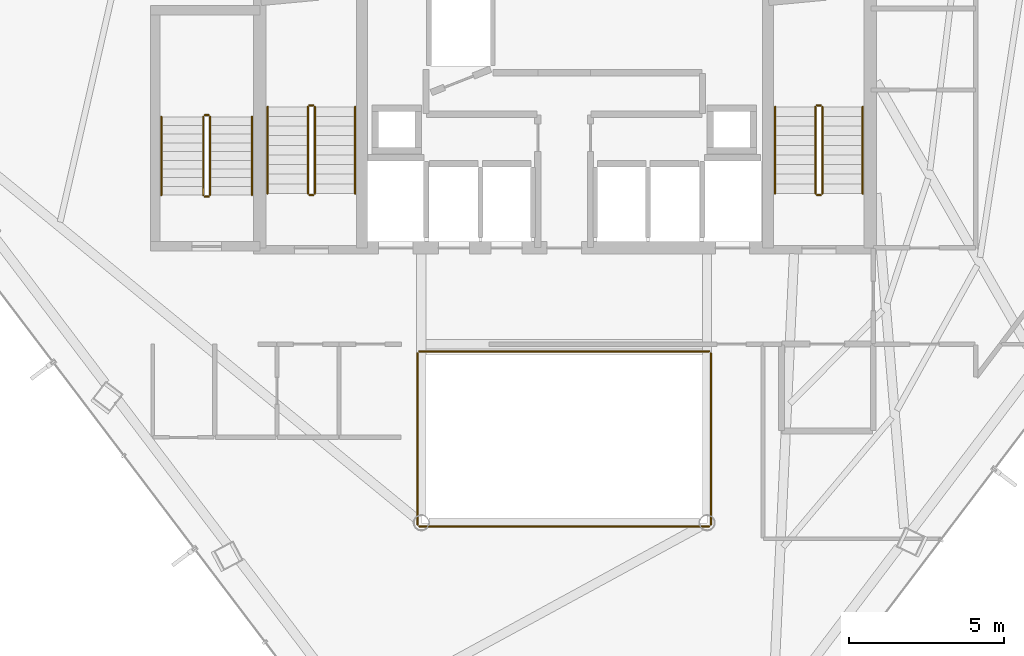
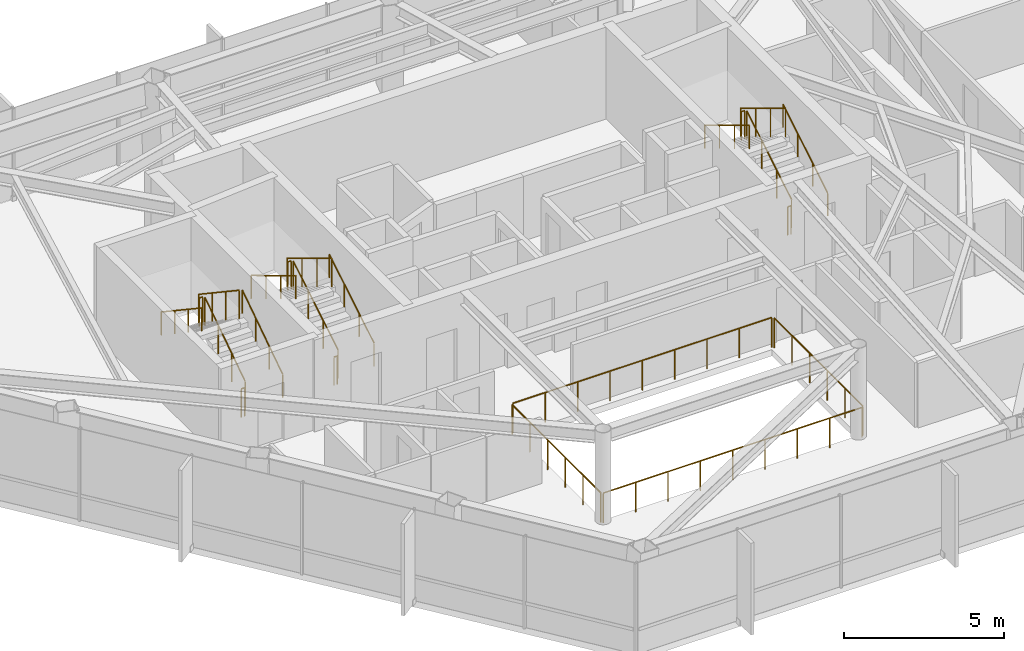
# One storey, part 27 of 27: 22 railings.
"""IFC4 building model written with IfcOpenShell, lengths in metres."""

from ifc_helpers import new_model, si_unit, direction, frame, origin, origin_2d, place, context, subcontext, project, spatial, circle, extrude, material, type_object, element, save


model = new_model("IFC4")

# Units and contexts
model_context = context("Model", 3, precision=1e-05, world=origin(), true_north=direction((0.0, 1.0)))
body_context = subcontext(model_context, "Body", "Model", "MODEL_VIEW")
ifc_project = project(units=[si_unit("LENGTHUNIT", "METRE"), si_unit("AREAUNIT", "SQUARE_METRE"), si_unit("VOLUMEUNIT", "CUBIC_METRE"), si_unit("PLANEANGLEUNIT", "RADIAN"), si_unit("MASSUNIT", "GRAM", prefix="KILO")], contexts=[model_context])

# Site, building, storey
site_placement = place(None, origin())
site = spatial("IfcSite", under=ifc_project, at=site_placement, CompositionType="ELEMENT")
building_placement = place(site_placement, origin())
building = spatial("IfcBuilding", under=site, at=building_placement, Name="Zarrinselat Tower", CompositionType="ELEMENT")
storey_placement = place(building_placement, frame((0.0, 0.0, 183.260009765625)))
storey = spatial("IfcBuildingStorey", under=building, at=storey_placement, Name="L45", CompositionType="ELEMENT", Elevation=183.260009765625)

# Railings
ifc_material_1 = material(Name="Double Low-E Laminated Solar Glass", Category="glass")
railing_type_1 = type_object("IfcRailingType", Name="RLG-ATRIUM-BAL", PredefinedType="BALUSTRADE", material=ifc_material_1)
railing_1_placement = place(storey_placement, frame((33.739990234375, 24.280029296875, 0.0)))
element("IfcRailing", 1, at=railing_1_placement, inside=storey, type_object=railing_type_1, Name="L45 Atrium Void Glass Balustrade S", PredefinedType="BALUSTRADE", context=body_context, shape_type="SweptSolid", body=[
    extrude(circle(Radius=0.02392578125, at=origin_2d()), frame((0.0, 0.0, 1.1259765625), z_axis=(1.0, 0.0, 0.0), x_axis=(0.0, 1.0, 0.0)), (0.0, 0.0, 1.0), 9.320068359375),
    extrude(circle(Radius=0.02099609375, at=origin_2d()), origin(), (0.0, 0.0, 1.0), 1.099853515625),
    extrude(circle(Radius=0.02099609375, at=origin_2d()), frame((1.1650390625, 0.0, 0.0)), (0.0, 0.0, 1.0), 1.099853515625),
    extrude(circle(Radius=0.02099609375, at=origin_2d()), frame((2.330078125, 0.0, 0.0)), (0.0, 0.0, 1.0), 1.099853515625),
    extrude(circle(Radius=0.02099609375, at=origin_2d()), frame((3.4951171875, 0.0, 0.0)), (0.0, 0.0, 1.0), 1.099853515625),
    extrude(circle(Radius=0.02099609375, at=origin_2d()), frame((4.66015625, 0.0, 0.0)), (0.0, 0.0, 1.0), 1.099853515625),
    extrude(circle(Radius=0.02099609375, at=origin_2d()), frame((5.824951171875, 0.0, 0.0)), (0.0, 0.0, 1.0), 1.099853515625),
    extrude(circle(Radius=0.02099609375, at=origin_2d()), frame((6.989990234375, 0.0, 0.0)), (0.0, 0.0, 1.0), 1.099853515625),
    extrude(circle(Radius=0.02099609375, at=origin_2d()), frame((8.155029296875, 0.0, 0.0)), (0.0, 0.0, 1.0), 1.099853515625),
    extrude(circle(Radius=0.02099609375, at=origin_2d()), frame((9.320068359375, 0.0, 0.0)), (0.0, 0.0, 1.0), 1.099853515625),
])
railing_2_placement = place(storey_placement, frame((43.1201171875, 24.340087890625, 0.0)))
element("IfcRailing", 2, at=railing_2_placement, inside=storey, type_object=railing_type_1, Name="L45 Atrium Void Glass Balustrade E", PredefinedType="BALUSTRADE", context=body_context, shape_type="SweptSolid", body=[
    extrude(circle(Radius=0.02392578125, at=origin_2d()), frame((0.0, 0.0, 1.1259765625), z_axis=(0.0, 1.0, 0.0), x_axis=(-1.0, 0.0, 0.0)), (0.0, 0.0, 1.0), 5.52001953125),
    extrude(circle(Radius=0.02099609375, at=origin_2d()), origin(), (0.0, 0.0, 1.0), 1.099853515625),
    extrude(circle(Radius=0.02099609375, at=origin_2d()), frame((0.0, 1.10400390625, 0.0)), (0.0, 0.0, 1.0), 1.099853515625),
    extrude(circle(Radius=0.02099609375, at=origin_2d()), frame((0.0, 2.2080078125, 0.0)), (0.0, 0.0, 1.0), 1.099853515625),
    extrude(circle(Radius=0.02099609375, at=origin_2d()), frame((0.0, 3.31201171875, 0.0)), (0.0, 0.0, 1.0), 1.099853515625),
    extrude(circle(Radius=0.02099609375, at=origin_2d()), frame((0.0, 4.416015625, 0.0)), (0.0, 0.0, 1.0), 1.099853515625),
    extrude(circle(Radius=0.02099609375, at=origin_2d()), frame((0.0, 5.52001953125, 0.0)), (0.0, 0.0, 1.0), 1.099853515625),
])
railing_3_placement = place(storey_placement, frame((43.06005859375, 29.919921875, 0.0)))
element("IfcRailing", 3, at=railing_3_placement, inside=storey, type_object=railing_type_1, Name="L45 Atrium Void Glass Balustrade N", PredefinedType="BALUSTRADE", context=body_context, shape_type="SweptSolid", body=[
    extrude(circle(Radius=0.02392578125, at=origin_2d()), frame((0.0, 0.0, 1.1259765625), z_axis=(-1.0, 0.0, 0.0), x_axis=(0.0, -1.0, 0.0)), (0.0, 0.0, 1.0), 9.320068359375),
    extrude(circle(Radius=0.02099609375, at=origin_2d()), origin(), (0.0, 0.0, 1.0), 1.099853515625),
    extrude(circle(Radius=0.02099609375, at=origin_2d()), frame((-1.1650390625, 0.0, 0.0)), (0.0, 0.0, 1.0), 1.099853515625),
    extrude(circle(Radius=0.02099609375, at=origin_2d()), frame((-2.330078125, 0.0, 0.0)), (0.0, 0.0, 1.0), 1.099853515625),
    extrude(circle(Radius=0.02099609375, at=origin_2d()), frame((-3.4951171875, 0.0, 0.0)), (0.0, 0.0, 1.0), 1.099853515625),
    extrude(circle(Radius=0.02099609375, at=origin_2d()), frame((-4.66015625, 0.0, 0.0)), (0.0, 0.0, 1.0), 1.099853515625),
    extrude(circle(Radius=0.02099609375, at=origin_2d()), frame((-5.824951171875, 0.0, 0.0)), (0.0, 0.0, 1.0), 1.099853515625),
    extrude(circle(Radius=0.02099609375, at=origin_2d()), frame((-6.989990234375, 0.0, 0.0)), (0.0, 0.0, 1.0), 1.099853515625),
    extrude(circle(Radius=0.02099609375, at=origin_2d()), frame((-8.155029296875, 0.0, 0.0)), (0.0, 0.0, 1.0), 1.099853515625),
    extrude(circle(Radius=0.02099609375, at=origin_2d()), frame((-9.320068359375, 0.0, 0.0)), (0.0, 0.0, 1.0), 1.099853515625),
])
railing_4_placement = place(storey_placement, frame((33.679931640625, 29.860107421875, 0.0)))
element("IfcRailing", 4, at=railing_4_placement, inside=storey, type_object=railing_type_1, Name="L45 Atrium Void Glass Balustrade W", PredefinedType="BALUSTRADE", context=body_context, shape_type="SweptSolid", body=[
    extrude(circle(Radius=0.02392578125, at=origin_2d()), frame((0.0, 0.0, 1.1259765625), z_axis=(0.0, -1.0, 0.0), x_axis=(1.0, 0.0, 0.0)), (0.0, 0.0, 1.0), 5.52001953125),
    extrude(circle(Radius=0.02099609375, at=origin_2d()), origin(), (0.0, 0.0, 1.0), 1.099853515625),
    extrude(circle(Radius=0.02099609375, at=origin_2d()), frame((0.0, -1.10400390625, 0.0)), (0.0, 0.0, 1.0), 1.099853515625),
    extrude(circle(Radius=0.02099609375, at=origin_2d()), frame((0.0, -2.2080078125, 0.0)), (0.0, 0.0, 1.0), 1.099853515625),
    extrude(circle(Radius=0.02099609375, at=origin_2d()), frame((0.0, -3.31201171875, 0.0)), (0.0, 0.0, 1.0), 1.099853515625),
    extrude(circle(Radius=0.02099609375, at=origin_2d()), frame((0.0, -4.416015625, 0.0)), (0.0, 0.0, 1.0), 1.099853515625),
    extrude(circle(Radius=0.02099609375, at=origin_2d()), frame((0.0, -5.52001953125, 0.0)), (0.0, 0.0, 1.0), 1.099853515625),
])
ifc_material_2 = material(Name="Steel S355J2", Category="steel")
railing_type_2 = type_object("IfcRailingType", Name="RLG-STAIR-GUARD", PredefinedType="GUARDRAIL", material=ifc_material_2)
railing_5_placement = place(storey_placement, frame((30.3701171875, 35.0, 0.18701171875)))
element("IfcRailing", 5, at=railing_5_placement, inside=storey, type_object=railing_type_2, Name="L45 ST-1 stair guard 1", PredefinedType="GUARDRAIL", context=body_context, shape_type="SweptSolid", body=[
    extrude(circle(Radius=0.02392578125, at=origin_2d()), frame((0.0, 0.0, 1.076171875), z_axis=(0.0, 0.856293938615, 0.516488809842), x_axis=(-1.0, 0.0, 0.0)), (0.0, 0.0, 1.0), 3.25830078125),
    extrude(circle(Radius=0.02099609375, at=origin_2d()), origin(), (0.0, 0.0, 1.0), 1.050048828125),
    extrude(circle(Radius=0.02099609375, at=origin_2d()), frame((0.0, 0.929931640625, 0.56103515625)), (0.0, 0.0, 1.0), 1.050048828125),
    extrude(circle(Radius=0.02099609375, at=origin_2d()), frame((0.0, 1.860107421875, 1.121826171875)), (0.0, 0.0, 1.0), 1.050048828125),
    extrude(circle(Radius=0.02099609375, at=origin_2d()), frame((0.0, 2.7900390625, 1.682861328125)), (0.0, 0.0, 1.0), 1.050048828125),
])
railing_6_placement = place(storey_placement, frame((30.320068359375, 37.840087890625, 1.869873046875)))
element("IfcRailing", 6, at=railing_6_placement, inside=storey, type_object=railing_type_2, Name="L45 ST-1 stair guard 2", PredefinedType="GUARDRAIL", context=body_context, shape_type="SweptSolid", body=[
    extrude(circle(Radius=0.02392578125, at=origin_2d()), frame((0.0, 0.0, 1.076171875), z_axis=(-1.0, 0.0, 0.0), x_axis=(0.0, -1.0, 0.0)), (0.0, 0.0, 1.0), 0.1201171875),
    extrude(circle(Radius=0.02099609375, at=origin_2d()), origin(), (0.0, 0.0, 1.0), 1.050048828125),
    extrude(circle(Radius=0.02099609375, at=origin_2d()), frame((-0.1201171875, 0.0, 0.0)), (0.0, 0.0, 1.0), 1.050048828125),
])
railing_7_placement = place(storey_placement, frame((30.14990234375, 37.7900390625, 2.056884765625)))
element("IfcRailing", 7, at=railing_7_placement, inside=storey, type_object=railing_type_2, Name="L45 ST-1 stair guard 3", PredefinedType="GUARDRAIL", context=body_context, shape_type="SweptSolid", body=[
    extrude(circle(Radius=0.02392578125, at=origin_2d()), frame((0.0, 0.0, 1.076171875), z_axis=(0.0, -0.856260799362, 0.516543747882), x_axis=(1.0, 0.0, 0.0)), (0.0, 0.0, 1.0), 3.25830078125),
    extrude(circle(Radius=0.02099609375, at=origin_2d()), origin(), (0.0, 0.0, 1.0), 1.050048828125),
    extrude(circle(Radius=0.02099609375, at=origin_2d()), frame((0.0, -0.929931640625, 0.56103515625)), (0.0, 0.0, 1.0), 1.050048828125),
    extrude(circle(Radius=0.02099609375, at=origin_2d()), frame((0.0, -1.860107421875, 1.1220703125)), (0.0, 0.0, 1.0), 1.050048828125),
    extrude(circle(Radius=0.02099609375, at=origin_2d()), frame((0.0, -2.7900390625, 1.68310546875)), (0.0, 0.0, 1.0), 1.050048828125),
])
railing_8_placement = place(storey_placement, frame((30.320068359375, 34.949951171875, 0.0)))
element("IfcRailing", 8, at=railing_8_placement, inside=storey, type_object=railing_type_2, Name="L45 ST-1 stair guard 4", PredefinedType="GUARDRAIL", context=body_context, shape_type="SweptSolid", body=[
    extrude(circle(Radius=0.02392578125, at=origin_2d()), frame((0.0, 0.0, 1.076171875), z_axis=(-1.0, 0.0, 0.0), x_axis=(0.0, -1.0, 0.0)), (0.0, 0.0, 1.0), 0.1201171875),
    extrude(circle(Radius=0.02099609375, at=origin_2d()), origin(), (0.0, 0.0, 1.0), 1.050048828125),
    extrude(circle(Radius=0.02099609375, at=origin_2d()), frame((-0.1201171875, 0.0, 0.0)), (0.0, 0.0, 1.0), 1.050048828125),
])
railing_9_placement = place(storey_placement, frame((46.7099609375, 35.0, 0.18701171875)))
element("IfcRailing", 9, at=railing_9_placement, inside=storey, type_object=railing_type_2, Name="L45 ST-2 stair guard 1", PredefinedType="GUARDRAIL", context=body_context, shape_type="SweptSolid", body=[
    extrude(circle(Radius=0.02392578125, at=origin_2d()), frame((0.0, 0.0, 1.076171875), z_axis=(0.0, 0.856293938615, 0.516488809842), x_axis=(-1.0, 0.0, 0.0)), (0.0, 0.0, 1.0), 3.25830078125),
    extrude(circle(Radius=0.02099609375, at=origin_2d()), origin(), (0.0, 0.0, 1.0), 1.050048828125),
    extrude(circle(Radius=0.02099609375, at=origin_2d()), frame((0.0, 0.929931640625, 0.56103515625)), (0.0, 0.0, 1.0), 1.050048828125),
    extrude(circle(Radius=0.02099609375, at=origin_2d()), frame((0.0, 1.860107421875, 1.121826171875)), (0.0, 0.0, 1.0), 1.050048828125),
    extrude(circle(Radius=0.02099609375, at=origin_2d()), frame((0.0, 2.7900390625, 1.682861328125)), (0.0, 0.0, 1.0), 1.050048828125),
])
railing_10_placement = place(storey_placement, frame((46.659912109375, 37.840087890625, 1.869873046875)))
element("IfcRailing", 10, at=railing_10_placement, inside=storey, type_object=railing_type_2, Name="L45 ST-2 stair guard 2", PredefinedType="GUARDRAIL", context=body_context, shape_type="SweptSolid", body=[
    extrude(circle(Radius=0.02392578125, at=origin_2d()), frame((0.0, 0.0, 1.076171875), z_axis=(-1.0, 0.0, 0.0), x_axis=(0.0, -1.0, 0.0)), (0.0, 0.0, 1.0), 0.119873046875),
    extrude(circle(Radius=0.02099609375, at=origin_2d()), origin(), (0.0, 0.0, 1.0), 1.050048828125),
    extrude(circle(Radius=0.02099609375, at=origin_2d()), frame((-0.119873046875, 0.0, 0.0)), (0.0, 0.0, 1.0), 1.050048828125),
])
railing_11_placement = place(storey_placement, frame((46.489990234375, 37.7900390625, 2.056884765625)))
element("IfcRailing", 11, at=railing_11_placement, inside=storey, type_object=railing_type_2, Name="L45 ST-2 stair guard 3", PredefinedType="GUARDRAIL", context=body_context, shape_type="SweptSolid", body=[
    extrude(circle(Radius=0.02392578125, at=origin_2d()), frame((0.0, 0.0, 1.076171875), z_axis=(0.0, -0.856260799362, 0.516543747882), x_axis=(1.0, 0.0, 0.0)), (0.0, 0.0, 1.0), 3.25830078125),
    extrude(circle(Radius=0.02099609375, at=origin_2d()), origin(), (0.0, 0.0, 1.0), 1.050048828125),
    extrude(circle(Radius=0.02099609375, at=origin_2d()), frame((0.0, -0.929931640625, 0.56103515625)), (0.0, 0.0, 1.0), 1.050048828125),
    extrude(circle(Radius=0.02099609375, at=origin_2d()), frame((0.0, -1.860107421875, 1.1220703125)), (0.0, 0.0, 1.0), 1.050048828125),
    extrude(circle(Radius=0.02099609375, at=origin_2d()), frame((0.0, -2.7900390625, 1.68310546875)), (0.0, 0.0, 1.0), 1.050048828125),
])
railing_12_placement = place(storey_placement, frame((46.659912109375, 34.949951171875, 0.0)))
element("IfcRailing", 12, at=railing_12_placement, inside=storey, type_object=railing_type_2, Name="L45 ST-2 stair guard 4", PredefinedType="GUARDRAIL", context=body_context, shape_type="SweptSolid", body=[
    extrude(circle(Radius=0.02392578125, at=origin_2d()), frame((0.0, 0.0, 1.076171875), z_axis=(-1.0, 0.0, 0.0), x_axis=(0.0, -1.0, 0.0)), (0.0, 0.0, 1.0), 0.119873046875),
    extrude(circle(Radius=0.02099609375, at=origin_2d()), origin(), (0.0, 0.0, 1.0), 1.050048828125),
    extrude(circle(Radius=0.02099609375, at=origin_2d()), frame((-0.119873046875, 0.0, 0.0)), (0.0, 0.0, 1.0), 1.050048828125),
])
railing_13_placement = place(storey_placement, frame((27.0, 34.949951171875, 0.18701171875)))
element("IfcRailing", 13, at=railing_13_placement, inside=storey, type_object=railing_type_2, Name="L45 ST-3 stair guard 1", PredefinedType="GUARDRAIL", context=body_context, shape_type="SweptSolid", body=[
    extrude(circle(Radius=0.02392578125, at=origin_2d()), frame((0.0, 0.0, 1.076171875), z_axis=(0.0, 0.831616215664, 0.555350762892), x_axis=(-1.0, 0.0, 0.0)), (0.0, 0.0, 1.0), 3.0302734375),
    extrude(circle(Radius=0.02099609375, at=origin_2d()), origin(), (0.0, 0.0, 1.0), 1.050048828125),
    extrude(circle(Radius=0.02099609375, at=origin_2d()), frame((0.0, 0.840087890625, 0.56103515625)), (0.0, 0.0, 1.0), 1.050048828125),
    extrude(circle(Radius=0.02099609375, at=origin_2d()), frame((0.0, 1.679931640625, 1.121826171875)), (0.0, 0.0, 1.0), 1.050048828125),
    extrude(circle(Radius=0.02099609375, at=origin_2d()), frame((0.0, 2.52001953125, 1.682861328125)), (0.0, 0.0, 1.0), 1.050048828125),
])
railing_14_placement = place(storey_placement, frame((26.949951171875, 37.52001953125, 1.869873046875)))
element("IfcRailing", 14, at=railing_14_placement, inside=storey, type_object=railing_type_2, Name="L45 ST-3 stair guard 2", PredefinedType="GUARDRAIL", context=body_context, shape_type="SweptSolid", body=[
    extrude(circle(Radius=0.02392578125, at=origin_2d()), frame((0.0, 0.0, 1.076171875), z_axis=(-1.0, 0.0, 0.0), x_axis=(0.0, -1.0, 0.0)), (0.0, 0.0, 1.0), 0.119873046875),
    extrude(circle(Radius=0.02099609375, at=origin_2d()), origin(), (0.0, 0.0, 1.0), 1.050048828125),
    extrude(circle(Radius=0.02099609375, at=origin_2d()), frame((-0.119873046875, 0.0, 0.0)), (0.0, 0.0, 1.0), 1.050048828125),
])
railing_15_placement = place(storey_placement, frame((26.780029296875, 37.469970703125, 2.056884765625)))
element("IfcRailing", 15, at=railing_15_placement, inside=storey, type_object=railing_type_2, Name="L45 ST-3 stair guard 3", PredefinedType="GUARDRAIL", context=body_context, shape_type="SweptSolid", body=[
    extrude(circle(Radius=0.02392578125, at=origin_2d()), frame((0.0, 0.0, 1.076171875), z_axis=(0.0, -0.831579006341, 0.555406478368), x_axis=(1.0, 0.0, 0.0)), (0.0, 0.0, 1.0), 3.030517578125),
    extrude(circle(Radius=0.02099609375, at=origin_2d()), origin(), (0.0, 0.0, 1.0), 1.050048828125),
    extrude(circle(Radius=0.02099609375, at=origin_2d()), frame((0.0, -0.840087890625, 0.56103515625)), (0.0, 0.0, 1.0), 1.050048828125),
    extrude(circle(Radius=0.02099609375, at=origin_2d()), frame((0.0, -1.679931640625, 1.1220703125)), (0.0, 0.0, 1.0), 1.050048828125),
    extrude(circle(Radius=0.02099609375, at=origin_2d()), frame((0.0, -2.52001953125, 1.68310546875)), (0.0, 0.0, 1.0), 1.050048828125),
])
railing_16_placement = place(storey_placement, frame((26.949951171875, 34.89990234375, 0.0)))
element("IfcRailing", 16, at=railing_16_placement, inside=storey, type_object=railing_type_2, Name="L45 ST-3 stair guard 4", PredefinedType="GUARDRAIL", context=body_context, shape_type="SweptSolid", body=[
    extrude(circle(Radius=0.02392578125, at=origin_2d()), frame((0.0, 0.0, 1.076171875), z_axis=(-1.0, 0.0, 0.0), x_axis=(0.0, -1.0, 0.0)), (0.0, 0.0, 1.0), 0.119873046875),
    extrude(circle(Radius=0.02099609375, at=origin_2d()), origin(), (0.0, 0.0, 1.0), 1.050048828125),
    extrude(circle(Radius=0.02099609375, at=origin_2d()), frame((-0.119873046875, 0.0, 0.0)), (0.0, 0.0, 1.0), 1.050048828125),
])
ifc_material_3 = material(Name="Steel S355J2", Category="steel")
railing_type_3 = type_object("IfcRailingType", Name="RLG-STAIR-HAND", PredefinedType="HANDRAIL", material=ifc_material_3)
railing_17_placement = place(storey_placement, frame((31.669921875, 35.0, 0.18701171875)))
element("IfcRailing", 17, at=railing_17_placement, inside=storey, type_object=railing_type_3, Name="L45 ST-1 stair handrail 1", PredefinedType="HANDRAIL", context=body_context, shape_type="SweptSolid", body=[
    extrude(circle(Radius=0.02392578125, at=origin_2d()), frame((0.0, 0.0, 0.8759765625), z_axis=(0.0, 0.856293938615, 0.516488809842), x_axis=(-1.0, 0.0, 0.0)), (0.0, 0.0, 1.0), 3.25830078125),
    extrude(circle(Radius=0.02099609375, at=origin_2d()), origin(), (0.0, 0.0, 1.0), 0.849853515625),
    extrude(circle(Radius=0.02099609375, at=origin_2d()), frame((0.0, 0.929931640625, 0.56103515625)), (0.0, 0.0, 1.0), 0.849853515625),
    extrude(circle(Radius=0.02099609375, at=origin_2d()), frame((0.0, 1.860107421875, 1.121826171875)), (0.0, 0.0, 1.0), 0.849853515625),
    extrude(circle(Radius=0.02099609375, at=origin_2d()), frame((0.0, 2.7900390625, 1.682861328125)), (0.0, 0.0, 1.0), 0.849853515625),
])
railing_18_placement = place(storey_placement, frame((28.85009765625, 37.7900390625, 2.056884765625)))
element("IfcRailing", 18, at=railing_18_placement, inside=storey, type_object=railing_type_3, Name="L45 ST-1 stair handrail 2", PredefinedType="HANDRAIL", context=body_context, shape_type="SweptSolid", body=[
    extrude(circle(Radius=0.02392578125, at=origin_2d()), frame((0.0, 0.0, 0.8759765625), z_axis=(0.0, -0.856260799362, 0.516543747882), x_axis=(1.0, 0.0, 0.0)), (0.0, 0.0, 1.0), 3.25830078125),
    extrude(circle(Radius=0.02099609375, at=origin_2d()), origin(), (0.0, 0.0, 1.0), 0.849853515625),
    extrude(circle(Radius=0.02099609375, at=origin_2d()), frame((0.0, -0.929931640625, 0.56103515625)), (0.0, 0.0, 1.0), 0.849853515625),
    extrude(circle(Radius=0.02099609375, at=origin_2d()), frame((0.0, -1.860107421875, 1.1220703125)), (0.0, 0.0, 1.0), 0.849853515625),
    extrude(circle(Radius=0.02099609375, at=origin_2d()), frame((0.0, -2.7900390625, 1.68310546875)), (0.0, 0.0, 1.0), 0.849853515625),
])
railing_19_placement = place(storey_placement, frame((48.010009765625, 35.0, 0.18701171875)))
element("IfcRailing", 19, at=railing_19_placement, inside=storey, type_object=railing_type_3, Name="L45 ST-2 stair handrail 1", PredefinedType="HANDRAIL", context=body_context, shape_type="SweptSolid", body=[
    extrude(circle(Radius=0.02392578125, at=origin_2d()), frame((0.0, 0.0, 0.8759765625), z_axis=(0.0, 0.856293938615, 0.516488809842), x_axis=(-1.0, 0.0, 0.0)), (0.0, 0.0, 1.0), 3.25830078125),
    extrude(circle(Radius=0.02099609375, at=origin_2d()), origin(), (0.0, 0.0, 1.0), 0.849853515625),
    extrude(circle(Radius=0.02099609375, at=origin_2d()), frame((0.0, 0.929931640625, 0.56103515625)), (0.0, 0.0, 1.0), 0.849853515625),
    extrude(circle(Radius=0.02099609375, at=origin_2d()), frame((0.0, 1.860107421875, 1.121826171875)), (0.0, 0.0, 1.0), 0.849853515625),
    extrude(circle(Radius=0.02099609375, at=origin_2d()), frame((0.0, 2.7900390625, 1.682861328125)), (0.0, 0.0, 1.0), 0.849853515625),
])
railing_20_placement = place(storey_placement, frame((45.18994140625, 37.7900390625, 2.056884765625)))
element("IfcRailing", 20, at=railing_20_placement, inside=storey, type_object=railing_type_3, Name="L45 ST-2 stair handrail 2", PredefinedType="HANDRAIL", context=body_context, shape_type="SweptSolid", body=[
    extrude(circle(Radius=0.02392578125, at=origin_2d()), frame((0.0, 0.0, 0.8759765625), z_axis=(0.0, -0.856260799362, 0.516543747882), x_axis=(1.0, 0.0, 0.0)), (0.0, 0.0, 1.0), 3.25830078125),
    extrude(circle(Radius=0.02099609375, at=origin_2d()), origin(), (0.0, 0.0, 1.0), 0.849853515625),
    extrude(circle(Radius=0.02099609375, at=origin_2d()), frame((0.0, -0.929931640625, 0.56103515625)), (0.0, 0.0, 1.0), 0.849853515625),
    extrude(circle(Radius=0.02099609375, at=origin_2d()), frame((0.0, -1.860107421875, 1.1220703125)), (0.0, 0.0, 1.0), 0.849853515625),
    extrude(circle(Radius=0.02099609375, at=origin_2d()), frame((0.0, -2.7900390625, 1.68310546875)), (0.0, 0.0, 1.0), 0.849853515625),
])
railing_21_placement = place(storey_placement, frame((28.35009765625, 34.949951171875, 0.18701171875)))
element("IfcRailing", 21, at=railing_21_placement, inside=storey, type_object=railing_type_3, Name="L45 ST-3 stair handrail 1", PredefinedType="HANDRAIL", context=body_context, shape_type="SweptSolid", body=[
    extrude(circle(Radius=0.02392578125, at=origin_2d()), frame((0.0, 0.0, 0.8759765625), z_axis=(0.0, 0.831616215664, 0.555350762892), x_axis=(-1.0, 0.0, 0.0)), (0.0, 0.0, 1.0), 3.0302734375),
    extrude(circle(Radius=0.02099609375, at=origin_2d()), origin(), (0.0, 0.0, 1.0), 0.849853515625),
    extrude(circle(Radius=0.02099609375, at=origin_2d()), frame((0.0, 0.840087890625, 0.56103515625)), (0.0, 0.0, 1.0), 0.849853515625),
    extrude(circle(Radius=0.02099609375, at=origin_2d()), frame((0.0, 1.679931640625, 1.121826171875)), (0.0, 0.0, 1.0), 0.849853515625),
    extrude(circle(Radius=0.02099609375, at=origin_2d()), frame((0.0, 2.52001953125, 1.682861328125)), (0.0, 0.0, 1.0), 0.849853515625),
])
railing_22_placement = place(storey_placement, frame((25.429931640625, 37.469970703125, 2.056884765625)))
element("IfcRailing", 22, at=railing_22_placement, inside=storey, type_object=railing_type_3, Name="L45 ST-3 stair handrail 2", PredefinedType="HANDRAIL", context=body_context, shape_type="SweptSolid", body=[
    extrude(circle(Radius=0.02392578125, at=origin_2d()), frame((0.0, 0.0, 0.8759765625), z_axis=(0.0, -0.831579006341, 0.555406478368), x_axis=(1.0, 0.0, 0.0)), (0.0, 0.0, 1.0), 3.030517578125),
    extrude(circle(Radius=0.02099609375, at=origin_2d()), origin(), (0.0, 0.0, 1.0), 0.849853515625),
    extrude(circle(Radius=0.02099609375, at=origin_2d()), frame((0.0, -0.840087890625, 0.56103515625)), (0.0, 0.0, 1.0), 0.849853515625),
    extrude(circle(Radius=0.02099609375, at=origin_2d()), frame((0.0, -1.679931640625, 1.1220703125)), (0.0, 0.0, 1.0), 0.849853515625),
    extrude(circle(Radius=0.02099609375, at=origin_2d()), frame((0.0, -2.52001953125, 1.68310546875)), (0.0, 0.0, 1.0), 0.849853515625),
])

save(model, "model.ifc")
